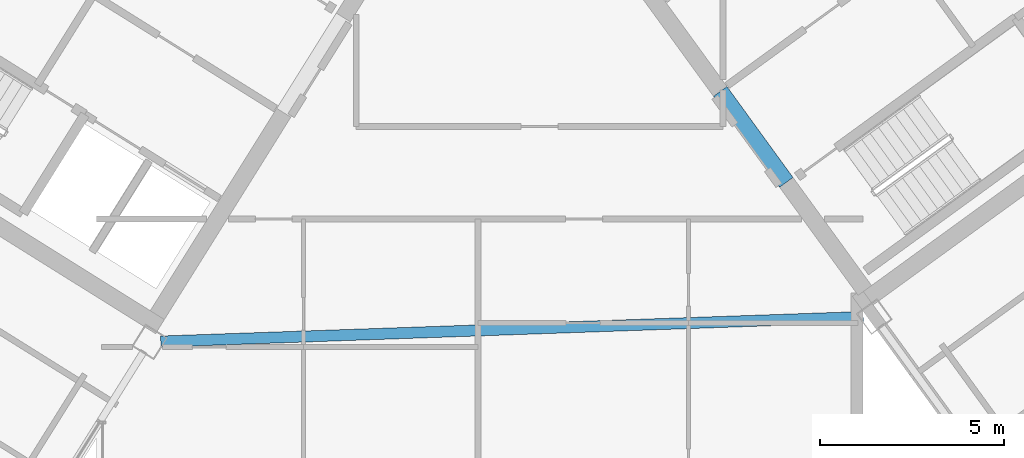
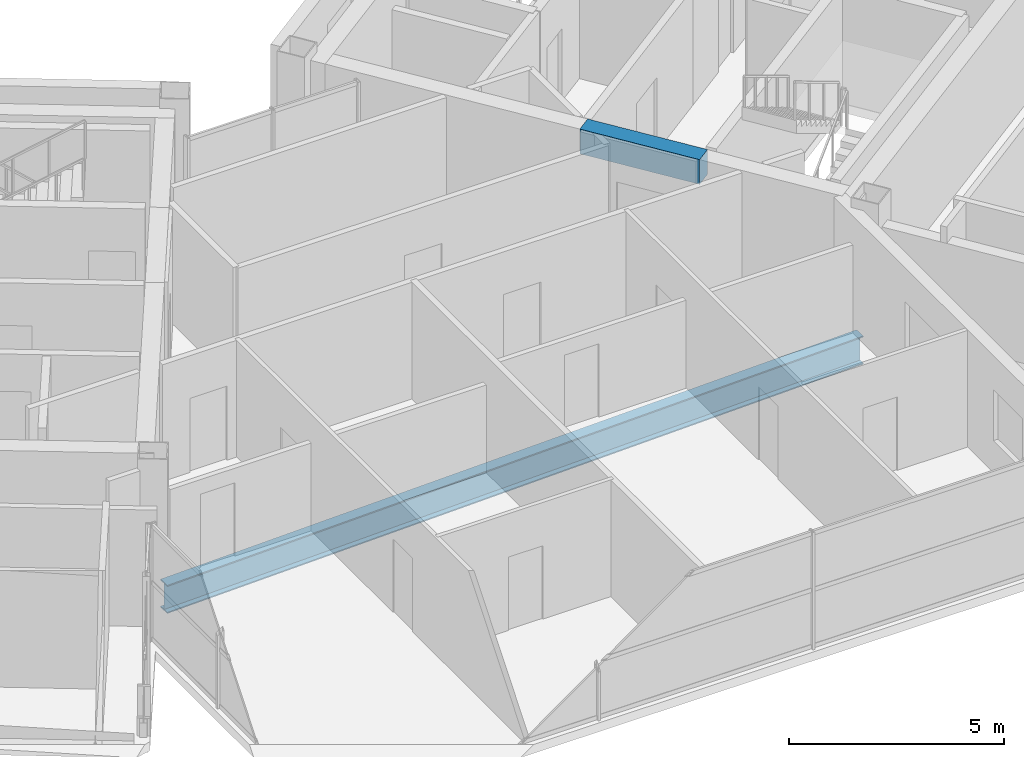
# One storey, part 9 of 25: 2 beams.
"""IFC4 building model written with IfcOpenShell, lengths in metres."""

from ifc_helpers import new_model, si_unit, direction, frame, origin, origin_2d, place, context, subcontext, project, spatial, rectangle, i_section, extrude, source, transform, mapped, material, material_profile, profile_set, type_object, element, save


model = new_model("IFC4")

# Units and contexts
model_context = context("Model", 3, precision=1e-05, world=origin(), true_north=direction((0.0, 1.0)))
body_context = subcontext(model_context, "Body", "Model", "MODEL_VIEW")
ifc_project = project(units=[si_unit("LENGTHUNIT", "METRE"), si_unit("AREAUNIT", "SQUARE_METRE"), si_unit("VOLUMEUNIT", "CUBIC_METRE"), si_unit("PLANEANGLEUNIT", "RADIAN"), si_unit("MASSUNIT", "GRAM", prefix="KILO")], contexts=[model_context])

# Site, building, storey
site_placement = place(None, origin())
site = spatial("IfcSite", under=ifc_project, at=site_placement, CompositionType="ELEMENT")
building_placement = place(site_placement, origin())
building = spatial("IfcBuilding", under=site, at=building_placement, Name="Tlacorven Tower", CompositionType="ELEMENT")
storey_placement = place(building_placement, frame((0.0, 0.0, 251.10009765625)))
storey = spatial("IfcBuildingStorey", under=building, at=storey_placement, Name="L63", CompositionType="ELEMENT", Elevation=251.10009765625)

# Beams
ifc_material_1 = material(Name="Concrete C60/75", Category="concrete")
ifc_material_profile_1 = material_profile(ifc_material_1, rectangle(XDim=0.449951171875, YDim=0.699951171875, at=origin_2d()), Name="RC 450X700")
ifc_profile_set_1 = profile_set([ifc_material_profile_1], Name="Concrete C60/75")
beam_type_1 = type_object("IfcBeamType", Name="BM-LNT-700", PredefinedType="LINTEL", material=ifc_profile_set_1)
shared_shape_1 = source(origin(), body_context, "Body", "SweptSolid", [
    extrude(rectangle(XDim=0.449951171875, YDim=0.699951171875, at=origin_2d()), origin(), (0.0, 0.0, 1.0), 3.050048828125),
])
beam_1_placement = place(storey_placement, frame((50.318359375, 16.416015625, 2.969970703125), z_axis=(-0.587776590479, 0.80902328748, 0.0), x_axis=(-0.80902328748, -0.587776590479, 0.0)))
element("IfcBeam", 1, at=beam_1_placement, inside=storey, type_object=beam_type_1, Name="L63 E core coupling lintel beam E1", PredefinedType="LINTEL", context=body_context, shape_type="MappedRepresentation", body=[
    mapped(shared_shape_1, transform((0.0, 0.0, 0.0), scale=1.0)),
])
ifc_material_2 = material(Name="Steel S355J2", Category="steel")
ifc_material_profile_2 = material_profile(ifc_material_2, i_section(OverallWidth=0.300048828125, OverallDepth=0.800048828125, WebThickness=0.017578125, FlangeThickness=0.032958984375, at=origin_2d()), Name="HEB 800")
ifc_profile_set_2 = profile_set([ifc_material_profile_2], Name="Steel S355J2")
beam_type_2 = type_object("IfcBeamType", Name="BM-POD-800", PredefinedType="BEAM", material=ifc_profile_set_2)
shared_shape_2 = source(origin(), body_context, "Body", "SweptSolid", [
    extrude(i_section(OverallWidth=0.300048828125, OverallDepth=0.800048828125, WebThickness=0.017578125, FlangeThickness=0.032958984375, at=origin_2d()), origin(), (0.0, 0.0, 1.0), 19.0712890625),
])
beam_2_placement = place(storey_placement, frame((33.345947265625, 12.097412109375, -0.650146484375), z_axis=(0.999390913919, 0.034897008138, 0.0), x_axis=(-0.034897008138, 0.999390913919, 0.0)))
element("IfcBeam", 2, at=beam_2_placement, inside=storey, type_object=beam_type_2, Name="L63 Knuckle Link Girder 2", PredefinedType="BEAM", context=body_context, shape_type="MappedRepresentation", body=[
    mapped(shared_shape_2, transform((0.0, 0.0, 0.0), scale=1.0)),
])

save(model, "model.ifc")
